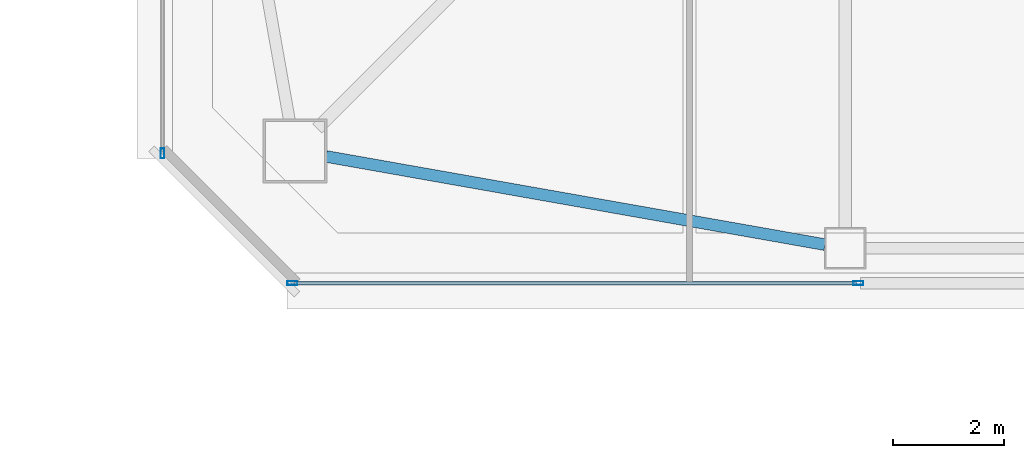
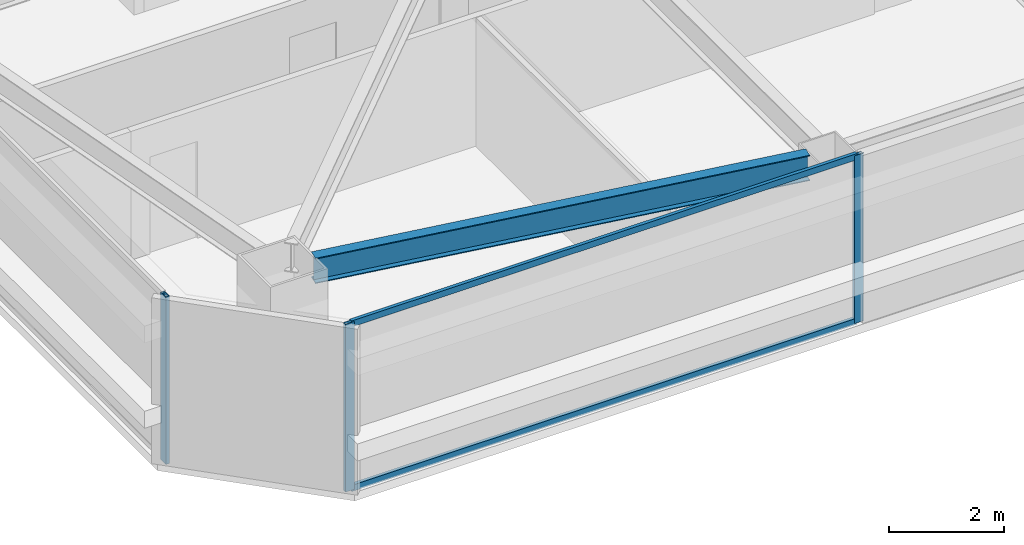
# One storey, part 3 of 43: 5 members, 1 beam, 2 elements without a shape of their own.
"""IFC4 building model written with IfcOpenShell, lengths in metres."""

from ifc_helpers import new_model, si_unit, direction, frame, origin, origin_2d, place, context, subcontext, project, spatial, hollow_rectangle, i_section, extrude, material, material_profile, profile_set, type_object, element, aggregate, save


model = new_model("IFC4")

# Units and contexts
model_context = context("Model", 3, precision=1e-05, world=origin(), true_north=direction((0.0, 1.0)))
body_context = subcontext(model_context, "Body", "Model", "MODEL_VIEW")
ifc_project = project(units=[si_unit("LENGTHUNIT", "METRE"), si_unit("AREAUNIT", "SQUARE_METRE"), si_unit("VOLUMEUNIT", "CUBIC_METRE"), si_unit("PLANEANGLEUNIT", "RADIAN"), si_unit("MASSUNIT", "GRAM", prefix="KILO")], contexts=[model_context])

# Site, building, storey
site_placement = place(None, origin())
site = spatial("IfcSite", under=ifc_project, at=site_placement, CompositionType="ELEMENT")
building_placement = place(site_placement, origin())
building = spatial("IfcBuilding", under=site, at=building_placement, Name="Tashvorn Skyway Center", CompositionType="ELEMENT")
storey_placement = place(building_placement, frame((0.0, 0.0, 188.949951171875)))
storey = spatial("IfcBuildingStorey", under=building, at=storey_placement, Name="L51", CompositionType="ELEMENT", Elevation=188.949951171875)

# Beam
ifc_material_1 = material(Name="Steel ASTM A992 Grade 50", Category="steel")
ifc_material_profile_1 = material_profile(ifc_material_1, i_section(OverallWidth=0.2109375, OverallDepth=0.5390625, WebThickness=0.01171875, FlangeThickness=0.018798828125, at=origin_2d()), Name="W21X73")
ifc_profile_set_1 = profile_set([ifc_material_profile_1], Name="Steel ASTM A992 Grade 50")
beam_type = type_object("IfcBeamType", Name="BM-SPANDREL-W21X73", PredefinedType="SPANDREL", material=ifc_profile_set_1)
beam_placement = place(storey_placement, frame((27.26123046875, 16.600830078125, 3.1005859375), z_axis=(0.984732545667, -0.174074160933, 0.0), x_axis=(0.174074160933, 0.984732545667, 0.0)))
element("IfcBeam", 1, at=beam_placement, inside=storey, type_object=beam_type, Name="Tower 1 L51 Spandrel Beam 01", PredefinedType="SPANDREL", context=body_context, shape_type="SweptSolid", body=[
    extrude(i_section(OverallWidth=0.2109375, OverallDepth=0.5390625, WebThickness=0.01171875, FlangeThickness=0.018798828125, at=origin_2d()), origin(), (0.0, 0.0, 1.0), 9.113525390625),
])

# Curtain wall, members
ifc_material_2 = material(Name="Thermally broken bronze-anodized aluminium 6063-T6", Category="aluminium")
curtain_wall_type = type_object("IfcCurtainWallType", Name="CW-CW-Z4", PredefinedType="NOTDEFINED", material=ifc_material_2)
curtain_wall_1_placement = place(storey_placement, origin())
curtain_wall_1 = element("IfcCurtainWall", 2, at=curtain_wall_1_placement, inside=storey, type_object=curtain_wall_type, Name="Tower 1 L51 South Unitised Curtain Wall Glazing Group 3", PredefinedType="NOTDEFINED")
ifc_material_profile_2 = material_profile(ifc_material_2, hollow_rectangle(XDim=0.070068359375, YDim=0.179931640625, WallThickness=0.00390625, at=origin_2d()), Name="ALU-MULL-70x180")
ifc_profile_set_2 = profile_set([ifc_material_profile_2], Name="Thermally broken bronze-anodized aluminium 6063-T6")
member_type_1 = type_object("IfcMemberType", Name="CWM-CW-Z4", PredefinedType="MULLION", material=ifc_profile_set_2)
member_1_placement = place(storey_placement, frame((36.83837890625, 14.320068359375, 0.0), z_axis=(0.0, 0.0, 1.0), x_axis=(0.0, -1.0, 0.0)))
member_1 = element("IfcMember", 3, at=member_1_placement, type_object=member_type_1, Name="CW-Z4 mullion 1", PredefinedType="MULLION", context=body_context, shape_type="SweptSolid", body=[
    extrude(hollow_rectangle(XDim=0.070068359375, YDim=0.179931640625, WallThickness=0.00390625, at=origin_2d()), origin(), (0.0, 0.0, 1.0), 3.550048828125),
])
member_2_placement = place(storey_placement, frame((26.655029296875, 14.320068359375, 0.0), z_axis=(0.0, 0.0, 1.0), x_axis=(0.0, -1.0, 0.0)))
member_2 = element("IfcMember", 4, at=member_2_placement, type_object=member_type_1, Name="CW-Z4 mullion 2", PredefinedType="MULLION", context=body_context, shape_type="SweptSolid", body=[
    extrude(hollow_rectangle(XDim=0.070068359375, YDim=0.179931640625, WallThickness=0.00390625, at=origin_2d()), origin(), (0.0, 0.0, 1.0), 3.550048828125),
])

# Curtain wall, member
curtain_wall_2_placement = place(storey_placement, origin())
curtain_wall_2 = element("IfcCurtainWall", 5, at=curtain_wall_2_placement, inside=storey, type_object=curtain_wall_type, Name="Tower 1 L51 West Curtain Wall L", PredefinedType="NOTDEFINED")
member_3_placement = place(storey_placement, frame((24.320068359375, 16.655029296875, 0.0), z_axis=(0.0, 0.0, 1.0), x_axis=(-1.0, 0.0, 0.0)))
member_3 = element("IfcMember", 6, at=member_3_placement, type_object=member_type_1, Name="CW-Z4 mullion 1", PredefinedType="MULLION", context=body_context, shape_type="SweptSolid", body=[
    extrude(hollow_rectangle(XDim=0.070068359375, YDim=0.179931640625, WallThickness=0.00390625, at=origin_2d()), origin(), (0.0, 0.0, 1.0), 3.550048828125),
])
aggregate(curtain_wall_2, [member_3])

# Member
ifc_material_profile_3 = material_profile(ifc_material_2, hollow_rectangle(XDim=0.070068359375, YDim=0.1298828125, WallThickness=0.00390625, at=origin_2d()), Name="ALU-TRAN-70x130")
ifc_profile_set_3 = profile_set([ifc_material_profile_3], Name="Thermally broken bronze-anodized aluminium 6063-T6")
member_type_2 = type_object("IfcMemberType", Name="CWT-CW-Z4", PredefinedType="USERDEFINED", material=ifc_profile_set_3)
member_4_placement = place(storey_placement, frame((36.80322265625, 14.320068359375, 0.03515625), z_axis=(-1.0, 0.0, 0.0), x_axis=(0.0, -1.0, 0.0)))
member_4 = element("IfcMember", 7, at=member_4_placement, type_object=member_type_2, Name="CW-Z4 transom 1.1", ObjectType="TRANSOM", PredefinedType="USERDEFINED", context=body_context, shape_type="SweptSolid", body=[
    extrude(hollow_rectangle(XDim=0.070068359375, YDim=0.1298828125, WallThickness=0.00390625, at=origin_2d()), origin(), (0.0, 0.0, 1.0), 10.11328125),
])

member_5_placement = place(storey_placement, frame((36.80322265625, 14.320068359375, 3.51513671875), z_axis=(-1.0, 0.0, 0.0), x_axis=(0.0, -1.0, 0.0)))
member_5 = element("IfcMember", 8, at=member_5_placement, type_object=member_type_2, Name="CW-Z4 transom 1.2", ObjectType="TRANSOM", PredefinedType="USERDEFINED", context=body_context, shape_type="SweptSolid", body=[
    extrude(hollow_rectangle(XDim=0.070068359375, YDim=0.1298828125, WallThickness=0.00390625, at=origin_2d()), origin(), (0.0, 0.0, 1.0), 10.11328125),
])

aggregate(curtain_wall_1, [member_1, member_2, member_4, member_5])

save(model, "model.ifc")
